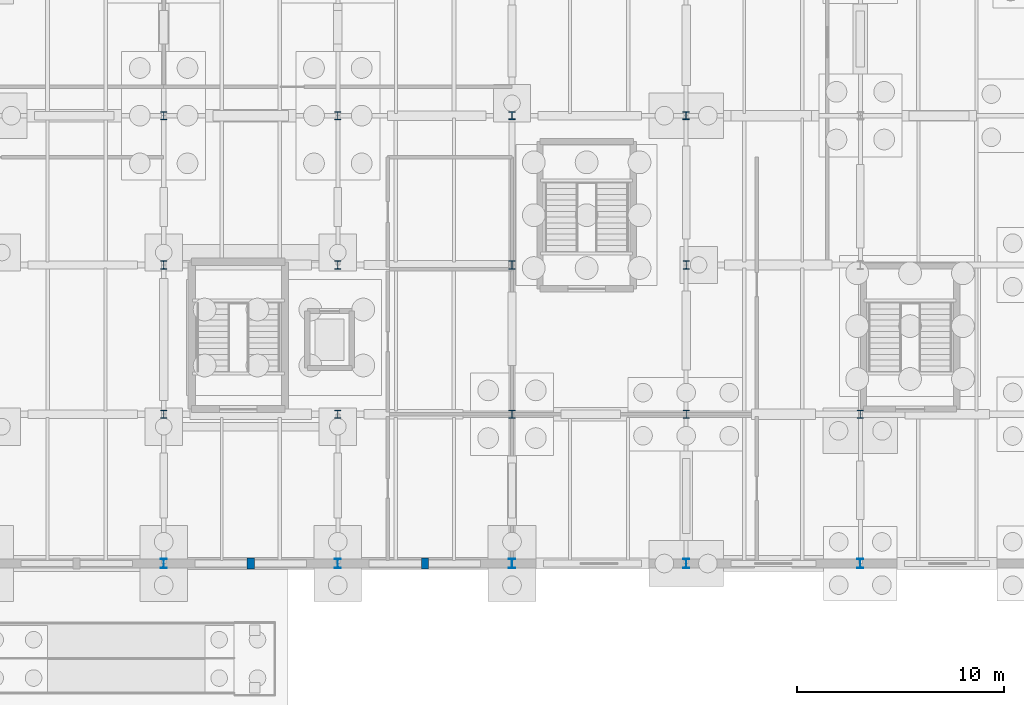
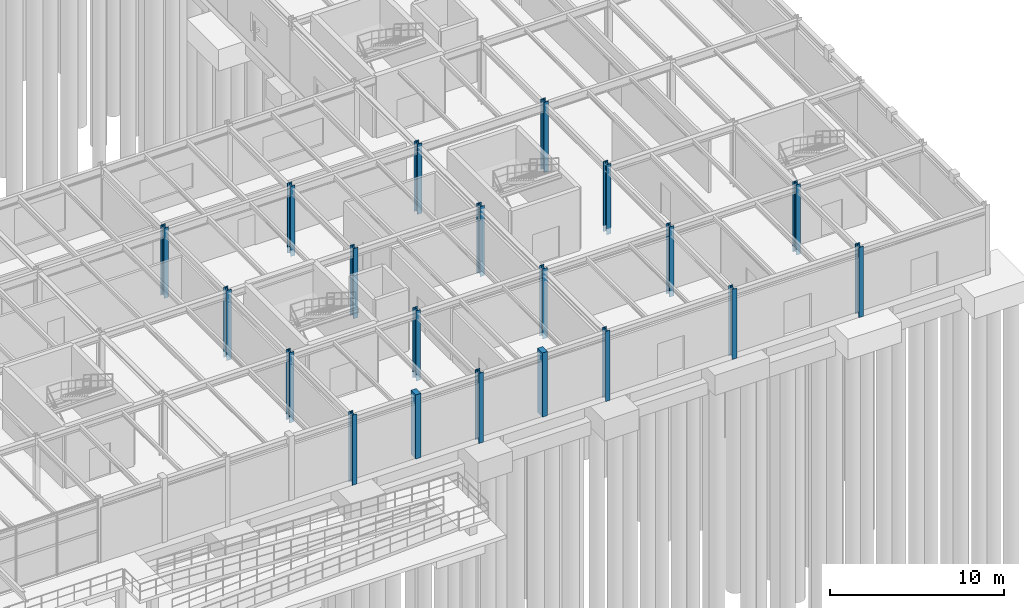
# One storey, part 26 of 93: 20 columns.
"""IFC4 building model written with IfcOpenShell, lengths in metres."""

import ifcopenshell
import ifcopenshell.guid

model = None  # the IFC model being written
_history = None  # IfcOwnerHistory: only IFC2X3 demands one
_inside = {}  # id of a spatial element -> (the spatial element, [elements in it])
_under = {}  # id of a project, library or spatial element -> (it, [spatial elements below it])
_declared = {}  # id of a project -> (the project, [libraries it declares])
_typed = {}  # id of a type object -> (the type object, [elements of that type])
_made_of = {}  # id of a material, layer set ... -> (it, [elements and type objects made of it])


def new_model(schema):
    """Start an empty IFC model of exactly this schema.

    Asked for "IFC4X3", IfcOpenShell would pick the latest addendum, in which some entities
    have other attributes; the version numbers below select the first issue.
    IFC2X3 requires an IfcOwnerHistory on every rooted entity: one is made here for all.
    """
    global model, _history
    if schema == "IFC4X3":
        model = ifcopenshell.file(schema_version=(4, 3, 0, 0))
    else:
        model = ifcopenshell.file(schema=schema)
    _inside.clear()
    _under.clear()
    _declared.clear()
    _typed.clear()
    _made_of.clear()
    _history = None
    if model.schema == "IFC2X3":
        org = make("IfcOrganization", Name="unknown")
        user = make(
            "IfcPersonAndOrganization",
            ThePerson=make("IfcPerson", FamilyName="unknown"),
            TheOrganization=org,
        )
        app = make(
            "IfcApplication",
            ApplicationDeveloper=org,
            Version="unknown",
            ApplicationFullName="unknown",
            ApplicationIdentifier="unknown",
        )
        _history = make(
            "IfcOwnerHistory",
            OwningUser=user,
            OwningApplication=app,
            ChangeAction="ADDED",
            CreationDate=0,
        )
    return model


def make(cls, **values):
    """One entity of the class cls with the attributes given. An attribute that is None is left unset."""
    return model.create_entity(
        cls, **{name: value for name, value in values.items() if value is not None}
    )


def rooted(cls, **values):
    """An entity with a GlobalId (a new one), such as an element, a storey or a relation."""
    return make(cls, GlobalId=ifcopenshell.guid.new(), OwnerHistory=_history, **values)


def si_unit(unit_type, name, prefix=None):
    """IfcSIUnit, for example si_unit("LENGTHUNIT", "METRE", prefix="MILLI")."""
    return make("IfcSIUnit", UnitType=unit_type, Prefix=prefix, Name=name)


def derived_unit(unit_type, elements):
    """IfcDerivedUnit: a product of units, each with its exponent."""
    return make(
        "IfcDerivedUnit",
        Elements=[
            make("IfcDerivedUnitElement", Unit=unit, Exponent=power)
            for unit, power in elements
        ],
        UnitType=unit_type,
    )


def assignment(units):
    """IfcUnitAssignment: the units of a project."""
    return None if units is None else make("IfcUnitAssignment", Units=units)


def point(xyz):
    """IfcCartesianPoint."""
    return None if xyz is None else make("IfcCartesianPoint", Coordinates=xyz)


def direction(xyz):
    """IfcDirection."""
    return None if xyz is None else make("IfcDirection", DirectionRatios=xyz)


def frame(location, z_axis=None, x_axis=None):
    """IfcAxis2Placement3D, a coordinate frame: its origin and axes. An axis left out is left unset."""
    return make(
        "IfcAxis2Placement3D",
        Location=point(location),
        Axis=direction(z_axis),
        RefDirection=direction(x_axis),
    )


def frame_2d(location, x_axis=None):
    """IfcAxis2Placement2D, a coordinate frame in the plane: its origin and x axis."""
    return make(
        "IfcAxis2Placement2D", Location=point(location), RefDirection=direction(x_axis)
    )


def origin():
    """The frame at (0, 0, 0) with its axes left unset."""
    return frame((0.0, 0.0, 0.0))


def origin_2d():
    """The frame at (0, 0) in the plane with its x axis left unset."""
    return frame_2d((0.0, 0.0))


def place(relative_to, where):
    """IfcLocalPlacement: puts the frame where relative to a parent placement (None: the world)."""
    return make(
        "IfcLocalPlacement", PlacementRelTo=relative_to, RelativePlacement=where
    )


def context(
    kind, dimensions, precision=None, world=None, true_north=None, identifier=None
):
    """IfcGeometricRepresentationContext, for example the 3D "Model" context."""
    return make(
        "IfcGeometricRepresentationContext",
        ContextIdentifier=identifier,
        ContextType=kind,
        CoordinateSpaceDimension=dimensions,
        Precision=precision,
        WorldCoordinateSystem=world,
        TrueNorth=true_north,
    )


def subcontext(parent, identifier, kind, view, scale=None):
    """IfcGeometricRepresentationSubContext, for example "Body" below "Model"."""
    return make(
        "IfcGeometricRepresentationSubContext",
        ContextIdentifier=identifier,
        ContextType=kind,
        ParentContext=parent,
        TargetScale=scale,
        TargetView=view,
    )


def project(units=None, contexts=None):
    """IfcProject with its units and contexts."""
    return rooted(
        "IfcProject",
        Name="project",
        RepresentationContexts=contexts,
        UnitsInContext=assignment(units),
    )


def spatial(cls, under=None, at=None, **own):
    """A site, building, storey or space (cls), placed at a placement, below another one or the project."""
    s = rooted(cls, ObjectPlacement=at, **own)
    if under is not None:
        _under.setdefault(under.id(), (under, []))[1].append(s)
    return s


def profile(cls, at=None, kind="AREA", **sizes):
    """A parametric profile (cls). Its sizes go by their IFC names, for example OverallWidth=200.0."""
    return make(cls, ProfileType=kind, Position=at, **sizes)


def rectangle(**sizes):
    """IfcRectangleProfileDef."""
    return profile("IfcRectangleProfileDef", **sizes)


def i_section(**sizes):
    """IfcIShapeProfileDef."""
    return profile("IfcIShapeProfileDef", **sizes)


def extrude(swept, where, along, depth):
    """IfcExtrudedAreaSolid: the profile swept, set in the frame where, extruded along a direction by depth."""
    return make(
        "IfcExtrudedAreaSolid",
        SweptArea=swept,
        Position=where,
        ExtrudedDirection=direction(along),
        Depth=depth,
    )


def shape(context_of_items, identifier, shape_type, items):
    """IfcShapeRepresentation: the items that make up one representation, for example the "Body"."""
    return make(
        "IfcShapeRepresentation",
        ContextOfItems=context_of_items,
        RepresentationIdentifier=identifier,
        RepresentationType=shape_type,
        Items=items,
    )


def material(Name=None, Category=None):
    """IfcMaterial."""
    return make("IfcMaterial", Name=Name, Category=Category)


def material_profile(
    of_material, cross_section, Name=None, Category=None, Priority=None
):
    """IfcMaterialProfile: a cross section and its material."""
    return make(
        "IfcMaterialProfile",
        Name=Name,
        Material=of_material,
        Profile=cross_section,
        Priority=Priority,
        Category=Category,
    )


def profile_set(profiles, Name=None, composite=None):
    """IfcMaterialProfileSet."""
    return make(
        "IfcMaterialProfileSet",
        Name=Name,
        MaterialProfiles=profiles,
        CompositeProfile=composite,
    )


def made_of(thing, what):
    """Note that an element or type object is made of a material, layer set ...; save() writes the relation."""
    if what is not None:
        _made_of.setdefault(what.id(), (what, []))[1].append(thing)
    return thing


def type_object(cls, material=None, **own):
    """A type object (cls), such as IfcWallType, which elements share."""
    return made_of(rooted(cls, **own), material)


def element(
    cls,
    number,
    at=None,
    inside=None,
    cuts=None,
    type_object=None,
    material=None,
    context=None,
    identifier="Body",
    shape_type=None,
    held_by="IfcProductDefinitionShape",
    body=None,
    shapes=None,
    **own,
):
    """One element of the class cls, such as IfcWall. Its Tag is "e" and its number.

    at: its placement. inside: the storey or other place that contains it. cuts: it is an
    opening in that element (IfcRelVoidsElement). A single representation is given by context,
    identifier, shape_type and body (its items); several are given by shapes. held_by: the class
    of the entity that holds the representations. save() writes the other relations.
    """
    e = rooted(cls, Tag="e%d" % number, ObjectPlacement=at, **own)
    if body is not None:
        shapes = [shape(context, identifier, shape_type, body)]
    if shapes is not None:
        e.Representation = make(held_by, Representations=shapes)
    if inside is not None:
        _inside.setdefault(inside.id(), (inside, []))[1].append(e)
    if cuts is not None:
        rooted(
            "IfcRelVoidsElement", RelatingBuildingElement=cuts, RelatedOpeningElement=e
        )
    if type_object is not None:
        _typed.setdefault(type_object.id(), (type_object, []))[1].append(e)
    return made_of(e, material)


def aggregate(whole, parts):
    """IfcRelAggregates: a whole, such as a stair, and the parts it consists of."""
    return rooted("IfcRelAggregates", RelatingObject=whole, RelatedObjects=parts)


def save(model, path):
    """Write the relations noted so far, then the file.

    IfcRelAggregates (storeys below a building ...), IfcRelContainedInSpatialStructure (elements
    in a storey), IfcRelDefinesByType, IfcRelAssociatesMaterial and IfcRelDeclares: one each for
    every whole, place, type object, material and project.
    """
    for whole, parts in _under.values():
        aggregate(whole, parts)
    for where, things in _inside.values():
        rooted(
            "IfcRelContainedInSpatialStructure",
            RelatedElements=things,
            RelatingStructure=where,
        )
    for kind, things in _typed.values():
        rooted("IfcRelDefinesByType", RelatedObjects=things, RelatingType=kind)
    for what, things in _made_of.values():
        rooted("IfcRelAssociatesMaterial", RelatedObjects=things, RelatingMaterial=what)
    for by, libraries in _declared.values():
        rooted("IfcRelDeclares", RelatingContext=by, RelatedDefinitions=libraries)
    model.write(path)


model = new_model("IFC4")

# Units and contexts
model_context = context("Model", 3, precision=1e-05, world=origin(), true_north=direction((0.0, 1.0)))
body_context = subcontext(model_context, "Body", "Model", "MODEL_VIEW")
ifc_project = project(units=[si_unit("LENGTHUNIT", "METRE"), si_unit("AREAUNIT", "SQUARE_METRE"), si_unit("VOLUMEUNIT", "CUBIC_METRE"), si_unit("PLANEANGLEUNIT", "RADIAN"), si_unit("MASSUNIT", "GRAM", prefix="KILO"), derived_unit("THERMALTRANSMITTANCEUNIT", [(si_unit("MASSUNIT", "GRAM", prefix="KILO"), 1), (si_unit("TIMEUNIT", "SECOND"), -3), (si_unit("THERMODYNAMICTEMPERATUREUNIT", "KELVIN"), -1)])], contexts=[model_context])

# Site, building, storey
site_placement = place(None, origin())
site = spatial("IfcSite", under=ifc_project, at=site_placement, CompositionType="ELEMENT")
building_placement = place(site_placement, origin())
building = spatial("IfcBuilding", under=site, at=building_placement, Name="Kharveza Railside Sports Centre", CompositionType="ELEMENT")
storey_placement = place(building_placement, origin())
storey = spatial("IfcBuildingStorey", under=building, at=storey_placement, Name="L00", CompositionType="ELEMENT", Elevation=0.0)

# Columns
ifc_material_1 = material(Name="Concrete C35/45", Category="concrete")
ifc_material_profile_1 = material_profile(ifc_material_1, rectangle(XDim=0.35009765625, YDim=0.550048828125, at=origin_2d()), Name="RC 350x550")
ifc_profile_set_1 = profile_set([ifc_material_profile_1], Name="Concrete C35/45")
column_type_1 = type_object("IfcColumnType", Name="COL-RC10", PredefinedType="PILASTER", material=ifc_profile_set_1)
for number, where, z_axis, x_axis, name in (
    (1, (130.199951171875, 7.199951171875, 0.0), (0.0, 0.0, 1.0), (1.0, 0.0, 0.0), "COL-PIL-SBM-03"),
    (2, (138.60009765625, 7.199951171875, 0.0), (0.0, 0.0, 1.0), (1.0, 0.0, 0.0), "COL-PIL-SBM-04"),
):
    element("IfcColumn", number, at=place(storey_placement, frame(where, z_axis=z_axis, x_axis=x_axis)), inside=storey, type_object=column_type_1, Name=name, PredefinedType="PILASTER", context=body_context, shape_type="SweptSolid", body=[
        extrude(rectangle(XDim=0.35009765625, YDim=0.550048828125, at=origin_2d()), origin(), (0.0, 0.0, 1.0), 4.5),
    ])
ifc_material_2 = material(Name="Steel S355J2", Category="steel")
ifc_material_profile_2 = material_profile(ifc_material_2, i_section(OverallWidth=0.30810546875, OverallDepth=0.39501953125, WebThickness=0.02099609375, FlangeThickness=0.0400390625, FilletRadius=0.027099609375, at=origin_2d()), Name="HEM 360")
ifc_profile_set_2 = profile_set([ifc_material_profile_2], Name="Steel S355J2")
column_type_2 = type_object("IfcColumnType", Name="COL-S02", PredefinedType="COLUMN", material=ifc_profile_set_2)
for number, where, z_axis, x_axis, name in (
    (3, (142.800048828125, 28.800048828125, -0.419921875), (0.0, 0.0, 1.0), (1.0, 0.0, 0.0), "COL-G-C02-X1428-Y288-L00"),
    (4, (151.199951171875, 28.800048828125, -0.419921875), (0.0, 0.0, 1.0), (1.0, 0.0, 0.0), "COL-G-C02-X1512-Y288-L00"),
):
    element("IfcColumn", number, at=place(storey_placement, frame(where, z_axis=z_axis, x_axis=x_axis)), inside=storey, type_object=column_type_2, Name=name, PredefinedType="COLUMN", context=body_context, shape_type="SweptSolid", body=[
        extrude(i_section(OverallWidth=0.30810546875, OverallDepth=0.39501953125, WebThickness=0.02099609375, FlangeThickness=0.0400390625, FilletRadius=0.027099609375, at=origin_2d()), origin(), (0.0, 0.0, 1.0), 4.919921875),
    ])
ifc_material_profile_3 = material_profile(ifc_material_2, i_section(OverallWidth=0.300048828125, OverallDepth=0.39990234375, WebThickness=0.013427734375, FlangeThickness=0.02392578125, FilletRadius=0.027099609375, at=origin_2d()), Name="HEB 400")
ifc_profile_set_3 = profile_set([ifc_material_profile_3], Name="Steel S355J2")
column_type_3 = type_object("IfcColumnType", Name="COL-S05", PredefinedType="COLUMN", material=ifc_profile_set_3)
for number, where, z_axis, x_axis, name in (
    (5, (126.0, 14.39990234375, -0.419921875), (0.0, 0.0, 1.0), (1.0, 0.0, 0.0), "COL-G-C05-X1260-Y144-L00"),
    (6, (126.0, 21.60009765625, -0.419921875), (0.0, 0.0, 1.0), (1.0, 0.0, 0.0), "COL-G-C05-X1260-Y216-L00"),
    (7, (126.0, 28.800048828125, -0.419921875), (0.0, 0.0, 1.0), (1.0, 0.0, 0.0), "COL-G-C05-X1260-Y288-L00"),
    (8, (134.39990234375, 14.39990234375, -0.419921875), (0.0, 0.0, 1.0), (1.0, 0.0, 0.0), "COL-G-C05-X1344-Y144-L00"),
    (9, (134.39990234375, 21.60009765625, -0.419921875), (0.0, 0.0, 1.0), (1.0, 0.0, 0.0), "COL-G-C05-X1344-Y216-L00"),
    (10, (134.39990234375, 28.800048828125, -0.419921875), (0.0, 0.0, 1.0), (1.0, 0.0, 0.0), "COL-G-C05-X1344-Y288-L00"),
    (11, (142.800048828125, 14.39990234375, -0.419921875), (0.0, 0.0, 1.0), (1.0, 0.0, 0.0), "COL-G-C05-X1428-Y144-L00"),
    (12, (142.800048828125, 21.60009765625, -0.419921875), (0.0, 0.0, 1.0), (1.0, 0.0, 0.0), "COL-G-C05-X1428-Y216-L00"),
    (13, (151.199951171875, 14.39990234375, -0.419921875), (0.0, 0.0, 1.0), (1.0, 0.0, 0.0), "COL-G-C05-X1512-Y144-L00"),
    (14, (151.199951171875, 21.60009765625, -0.419921875), (0.0, 0.0, 1.0), (1.0, 0.0, 0.0), "COL-G-C05-X1512-Y216-L00"),
    (15, (159.60009765625, 14.39990234375, -0.419921875), (0.0, 0.0, 1.0), (1.0, 0.0, 0.0), "COL-G-C05-X1596-Y144-L00"),
):
    element("IfcColumn", number, at=place(storey_placement, frame(where, z_axis=z_axis, x_axis=x_axis)), inside=storey, type_object=column_type_3, Name=name, PredefinedType="COLUMN", context=body_context, shape_type="SweptSolid", body=[
        extrude(i_section(OverallWidth=0.300048828125, OverallDepth=0.39990234375, WebThickness=0.013427734375, FlangeThickness=0.02392578125, FilletRadius=0.027099609375, at=origin_2d()), origin(), (0.0, 0.0, 1.0), 4.919921875),
    ])
ifc_material_profile_4 = material_profile(ifc_material_2, i_section(OverallWidth=0.300048828125, OverallDepth=0.43994140625, WebThickness=0.011474609375, FlangeThickness=0.02099609375, FilletRadius=0.027099609375, at=origin_2d()), Name="HEA 450")
ifc_profile_set_4 = profile_set([ifc_material_profile_4], Name="Steel S355J2")
column_type_4 = type_object("IfcColumnType", Name="COL-S09", PredefinedType="COLUMN", material=ifc_profile_set_4)
for number, where, z_axis, x_axis, name in (
    (16, (126.0, 7.199951171875, -0.419921875), (0.0, 0.0, 1.0), (1.0, 0.0, 0.0), "COL-G-C09-X1260-Y72-L00"),
    (17, (134.39990234375, 7.199951171875, -0.419921875), (0.0, 0.0, 1.0), (1.0, 0.0, 0.0), "COL-G-C09-X1344-Y72-L00"),
    (18, (142.800048828125, 7.199951171875, -0.419921875), (0.0, 0.0, 1.0), (1.0, 0.0, 0.0), "COL-G-C09-X1428-Y72-L00"),
    (19, (151.199951171875, 7.199951171875, -0.419921875), (0.0, 0.0, 1.0), (1.0, 0.0, 0.0), "COL-G-C09-X1512-Y72-L00"),
    (20, (159.60009765625, 7.199951171875, -0.419921875), (0.0, 0.0, 1.0), (1.0, 0.0, 0.0), "COL-G-C09-X1596-Y72-L00"),
):
    element("IfcColumn", number, at=place(storey_placement, frame(where, z_axis=z_axis, x_axis=x_axis)), inside=storey, type_object=column_type_4, Name=name, PredefinedType="COLUMN", context=body_context, shape_type="SweptSolid", body=[
        extrude(i_section(OverallWidth=0.300048828125, OverallDepth=0.43994140625, WebThickness=0.011474609375, FlangeThickness=0.02099609375, FilletRadius=0.027099609375, at=origin_2d()), origin(), (0.0, 0.0, 1.0), 4.919921875),
    ])

save(model, "model.ifc")
